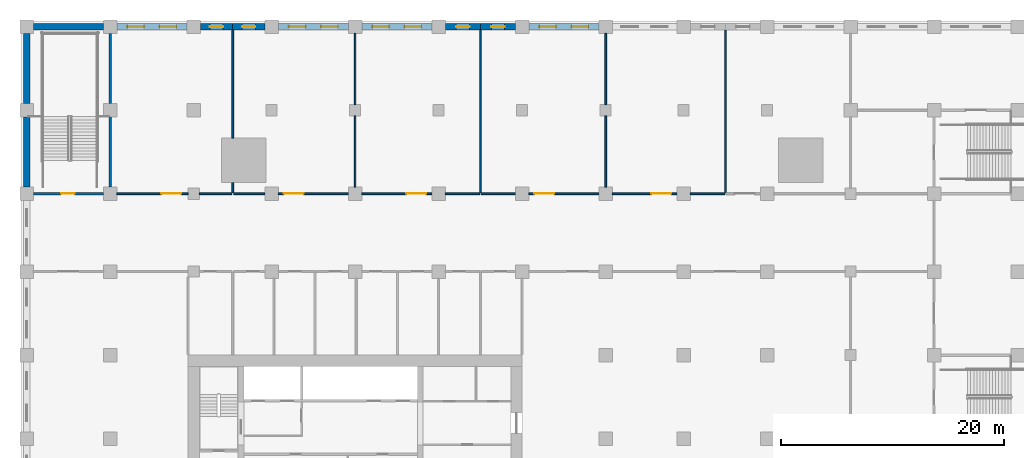
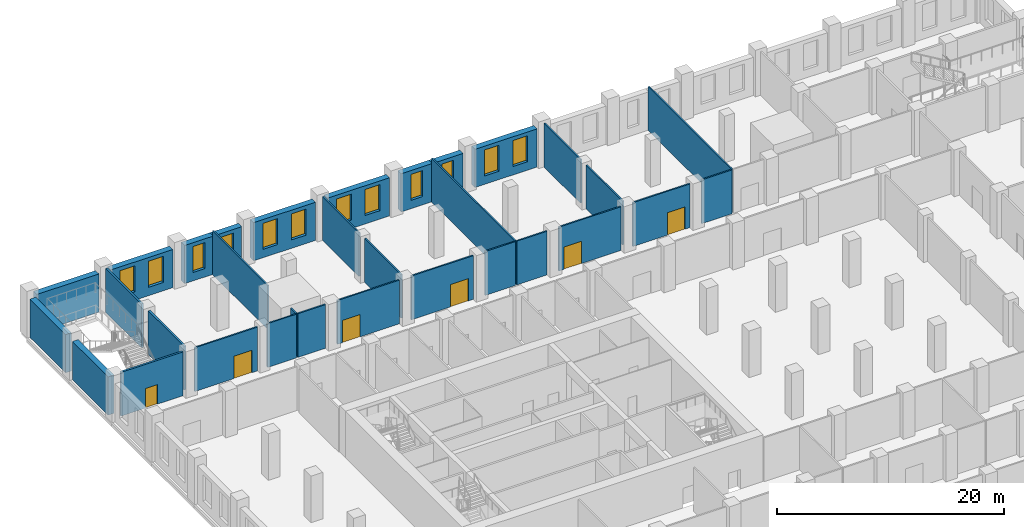
# One storey, part 9 of 32: 32 walls, 12 windows, 6 doors, 18 openings.
"""IFC4 building model written with IfcOpenShell, lengths in metres."""

from ifc_helpers import new_model, si_unit, direction, frame, frame_2d, origin, place, context, subcontext, project, spatial, rectangle, extrude, material, layer, layer_set, type_object, element, fill, save


model = new_model("IFC4")

# Units and contexts
model_context = context("Model", 3, precision=1e-05, world=origin(), true_north=direction((0.0, 1.0)))
body_context = subcontext(model_context, "Body", "Model", "MODEL_VIEW")
ifc_project = project(units=[si_unit("LENGTHUNIT", "METRE"), si_unit("AREAUNIT", "SQUARE_METRE"), si_unit("VOLUMEUNIT", "CUBIC_METRE"), si_unit("PLANEANGLEUNIT", "RADIAN"), si_unit("MASSUNIT", "GRAM", prefix="KILO")], contexts=[model_context])

# Site, building, storey
site_placement = place(None, origin())
site = spatial("IfcSite", under=ifc_project, at=site_placement, CompositionType="ELEMENT")
building_placement = place(site_placement, origin())
building = spatial("IfcBuilding", under=site, at=building_placement, Name="Tamorin Gate", CompositionType="ELEMENT")
storey_placement = place(building_placement, frame((0.0, 0.0, 18.5)))
storey = spatial("IfcBuildingStorey", under=building, at=storey_placement, Name="L03", CompositionType="ELEMENT", Elevation=18.5)

# Wall, opening, door
ifc_material_1 = material(Name="Concrete masonry C20/25", Category="masonry")
ifc_layer_1 = layer(ifc_material_1, 0.14990234375)
ifc_layer_set_1 = layer_set([ifc_layer_1], Name="Partition 150")
wall_type_1 = type_object("IfcWallType", Name="Partition 150", PredefinedType="PARTITIONING", material=ifc_layer_set_1)
wall_1_placement = place(storey_placement, frame((30.0, 97.0, 0.0), z_axis=(0.0, 0.0, 1.0), x_axis=(-1.0, 0.0, 0.0)))
wall_1 = element("IfcWall", 1, at=wall_1_placement, inside=storey, type_object=wall_type_1, Name="Partition 150 L03", PredefinedType="PARTITIONING", context=body_context, shape_type="SweptSolid", body=[
    extrude(rectangle(XDim=6.39990234375, YDim=0.14990234375, at=frame_2d((3.199951171875, 0.0))), origin(), (0.0, 0.0, 1.0), 4.699951171875),
])
opening_1_placement = place(wall_1_placement, frame((0.60009765625, 0.0, 0.0)))
opening_1 = element("IfcOpeningElement", 2, at=opening_1_placement, cuts=wall_1, Name="Opening DP3", PredefinedType="OPENING", context=body_context, shape_type="SweptSolid", body=[
    extrude(rectangle(XDim=1.800048828125, YDim=2.39990234375, at=frame_2d((0.89990234375, 1.199951171875))), frame((0.0, 0.0849609375, 0.0), z_axis=(0.0, -1.0, 0.0), x_axis=(1.0, 0.0, 0.0)), (0.0, 0.0, 1.0), 0.169921875),
])
ifc_material_2 = material(Name="Steel and glass", Category="steel")
door_type_1 = type_object("IfcDoorType", Name="Door pair 1800", OperationType="DOUBLE_DOOR_SINGLE_SWING", PredefinedType="DOOR", material=ifc_material_2)
door_1_placement = place(opening_1_placement, origin())
door_1 = element("IfcDoor", 3, at=door_1_placement, inside=storey, type_object=door_type_1, Name="Door pair 1800 L03", OperationType="SINGLE_SWING_LEFT", OverallHeight=2.39990234375, OverallWidth=1.800048828125, PredefinedType="DOOR", context=body_context, shape_type="SweptSolid", body=[
    extrude(rectangle(XDim=1.800048828125, YDim=2.39990234375, at=frame_2d((0.89990234375, 1.199951171875))), frame((0.0, 0.02490234375, 0.0), z_axis=(0.0, -1.0, 0.0), x_axis=(1.0, 0.0, 0.0)), (0.0, 0.0, 1.0), 0.050048828125),
])
fill(opening_1, door_1)

# Walls
wall_2_placement = place(storey_placement, frame((31.0, 97.0, 0.0), z_axis=(0.0, 0.0, 1.0), x_axis=(1.0, 0.0, 0.0)))
element("IfcWall", 4, at=wall_2_placement, inside=storey, type_object=wall_type_1, Name="Partition 150 L03", PredefinedType="PARTITIONING", context=body_context, shape_type="SweptSolid", body=[
    extrude(rectangle(XDim=2.925048828125, YDim=0.14990234375, at=frame_2d((1.46240234375, 0.0))), origin(), (0.0, 0.0, 1.0), 4.699951171875),
])
wall_3_placement = place(storey_placement, frame((34.074951171875, 97.0, 0.0), z_axis=(0.0, 0.0, 1.0), x_axis=(1.0, 0.0, 0.0)))
element("IfcWall", 5, at=wall_3_placement, inside=storey, type_object=wall_type_1, Name="Partition 150 L03", PredefinedType="PARTITIONING", context=body_context, shape_type="SweptSolid", body=[
    extrude(rectangle(XDim=2.824951171875, YDim=0.14990234375, at=frame_2d((1.41259765625, 0.0))), origin(), (0.0, 0.0, 1.0), 4.699951171875),
])

# Wall, opening, door
wall_4_placement = place(storey_placement, frame((44.39990234375, 97.0, 0.0), z_axis=(0.0, 0.0, 1.0), x_axis=(-1.0, 0.0, 0.0)))
wall_4 = element("IfcWall", 6, at=wall_4_placement, inside=storey, type_object=wall_type_1, Name="Partition 150 L03", PredefinedType="PARTITIONING", context=body_context, shape_type="SweptSolid", body=[
    extrude(rectangle(XDim=6.2998046875, YDim=0.14990234375, at=frame_2d((3.14990234375, 0.0))), origin(), (0.0, 0.0, 1.0), 4.699951171875),
])
opening_2_placement = place(wall_4_placement, frame((4.0, 0.0, 0.0)))
opening_2 = element("IfcOpeningElement", 7, at=opening_2_placement, cuts=wall_4, Name="Opening DP3", PredefinedType="OPENING", context=body_context, shape_type="SweptSolid", body=[
    extrude(rectangle(XDim=1.800048828125, YDim=2.39990234375, at=frame_2d((0.89990234375, 1.199951171875))), frame((0.0, 0.0849609375, 0.0), z_axis=(0.0, -1.0, 0.0), x_axis=(1.0, 0.0, 0.0)), (0.0, 0.0, 1.0), 0.169921875),
])
door_2_placement = place(opening_2_placement, origin())
door_2 = element("IfcDoor", 8, at=door_2_placement, inside=storey, type_object=door_type_1, Name="Door pair 1800 L03", OperationType="SINGLE_SWING_LEFT", OverallHeight=2.39990234375, OverallWidth=1.800048828125, PredefinedType="DOOR", context=body_context, shape_type="SweptSolid", body=[
    extrude(rectangle(XDim=1.800048828125, YDim=2.39990234375, at=frame_2d((0.89990234375, 1.199951171875))), frame((0.0, 0.02490234375, 0.0), z_axis=(0.0, -1.0, 0.0), x_axis=(1.0, 0.0, 0.0)), (0.0, 0.0, 1.0), 0.050048828125),
])
fill(opening_2, door_2)

wall_5_placement = place(storey_placement, frame((51.89990234375, 97.0, 0.0), z_axis=(0.0, 0.0, 1.0), x_axis=(-1.0, 0.0, 0.0)))
wall_5 = element("IfcWall", 9, at=wall_5_placement, inside=storey, type_object=wall_type_1, Name="Partition 150 L03", PredefinedType="PARTITIONING", context=body_context, shape_type="SweptSolid", body=[
    extrude(rectangle(XDim=6.2998046875, YDim=0.14990234375, at=frame_2d((3.14990234375, 0.0))), origin(), (0.0, 0.0, 1.0), 4.699951171875),
])
opening_3_placement = place(wall_5_placement, frame((0.5, 0.0, 0.0)))
opening_3 = element("IfcOpeningElement", 10, at=opening_3_placement, cuts=wall_5, Name="Opening DP3", PredefinedType="OPENING", context=body_context, shape_type="SweptSolid", body=[
    extrude(rectangle(XDim=1.800048828125, YDim=2.39990234375, at=frame_2d((0.89990234375, 1.199951171875))), frame((0.0, 0.0849609375, 0.0), z_axis=(0.0, -1.0, 0.0), x_axis=(1.0, 0.0, 0.0)), (0.0, 0.0, 1.0), 0.169921875),
])
door_3_placement = place(opening_3_placement, origin())
door_3 = element("IfcDoor", 11, at=door_3_placement, inside=storey, type_object=door_type_1, Name="Door pair 1800 L03", OperationType="SINGLE_SWING_LEFT", OverallHeight=2.39990234375, OverallWidth=1.800048828125, PredefinedType="DOOR", context=body_context, shape_type="SweptSolid", body=[
    extrude(rectangle(XDim=1.800048828125, YDim=2.39990234375, at=frame_2d((0.89990234375, 1.199951171875))), frame((0.0, 0.02490234375, 0.0), z_axis=(0.0, -1.0, 0.0), x_axis=(1.0, 0.0, 0.0)), (0.0, 0.0, 1.0), 0.050048828125),
])
fill(opening_3, door_3)

# Walls
for number, where, z_axis, x_axis, name in (
    (12, (53.10009765625, 97.0, 0.0), (0.0, 0.0, 1.0), (1.0, 0.0, 0.0), "Partition 150 L03"),
    (13, (56.324951171875, 97.0, 0.0), (0.0, 0.0, 1.0), (1.0, 0.0, 0.0), "Partition 150 L03"),
):
    element("IfcWall", number, at=place(storey_placement, frame(where, z_axis=z_axis, x_axis=x_axis)), inside=storey, type_object=wall_type_1, Name=name, PredefinedType="PARTITIONING", context=body_context, shape_type="SweptSolid", body=[
        extrude(rectangle(XDim=3.074951171875, YDim=0.14990234375, at=frame_2d((1.53759765625, 0.0))), origin(), (0.0, 0.0, 1.0), 4.699951171875),
    ])

# Wall, opening, door
wall_6_placement = place(storey_placement, frame((66.89990234375, 97.0, 0.0), z_axis=(0.0, 0.0, 1.0), x_axis=(-1.0, 0.0, 0.0)))
wall_6 = element("IfcWall", 14, at=wall_6_placement, inside=storey, type_object=wall_type_1, Name="Partition 150 L03", PredefinedType="PARTITIONING", context=body_context, shape_type="SweptSolid", body=[
    extrude(rectangle(XDim=6.2998046875, YDim=0.14990234375, at=frame_2d((3.14990234375, 0.0))), origin(), (0.0, 0.0, 1.0), 4.699951171875),
])
opening_4_placement = place(wall_6_placement, frame((4.0, 0.0, 0.0)))
opening_4 = element("IfcOpeningElement", 15, at=opening_4_placement, cuts=wall_6, Name="Opening DP3", PredefinedType="OPENING", context=body_context, shape_type="SweptSolid", body=[
    extrude(rectangle(XDim=1.800048828125, YDim=2.39990234375, at=frame_2d((0.89990234375, 1.199951171875))), frame((0.0, 0.0849609375, 0.0), z_axis=(0.0, -1.0, 0.0), x_axis=(1.0, 0.0, 0.0)), (0.0, 0.0, 1.0), 0.169921875),
])
door_4_placement = place(opening_4_placement, origin())
door_4 = element("IfcDoor", 16, at=door_4_placement, inside=storey, type_object=door_type_1, Name="Door pair 1800 L03", OperationType="SINGLE_SWING_LEFT", OverallHeight=2.39990234375, OverallWidth=1.800048828125, PredefinedType="DOOR", context=body_context, shape_type="SweptSolid", body=[
    extrude(rectangle(XDim=1.800048828125, YDim=2.39990234375, at=frame_2d((0.89990234375, 1.199951171875))), frame((0.0, 0.02490234375, 0.0), z_axis=(0.0, -1.0, 0.0), x_axis=(1.0, 0.0, 0.0)), (0.0, 0.0, 1.0), 0.050048828125),
])
fill(opening_4, door_4)

wall_7_placement = place(storey_placement, frame((73.89990234375, 97.0, 0.0), z_axis=(0.0, 0.0, 1.0), x_axis=(-1.0, 0.0, 0.0)))
wall_7 = element("IfcWall", 17, at=wall_7_placement, inside=storey, type_object=wall_type_1, Name="Partition 150 L03", PredefinedType="PARTITIONING", context=body_context, shape_type="SweptSolid", body=[
    extrude(rectangle(XDim=5.7998046875, YDim=0.14990234375, at=frame_2d((2.89990234375, 0.0))), origin(), (0.0, 0.0, 1.0), 4.699951171875),
])
opening_5_placement = place(wall_7_placement, frame((0.5, 0.0, 0.0)))
opening_5 = element("IfcOpeningElement", 18, at=opening_5_placement, cuts=wall_7, Name="Opening DP3", PredefinedType="OPENING", context=body_context, shape_type="SweptSolid", body=[
    extrude(rectangle(XDim=1.800048828125, YDim=2.39990234375, at=frame_2d((0.89990234375, 1.199951171875))), frame((0.0, 0.0849609375, 0.0), z_axis=(0.0, -1.0, 0.0), x_axis=(1.0, 0.0, 0.0)), (0.0, 0.0, 1.0), 0.169921875),
])
door_5_placement = place(opening_5_placement, origin())
door_5 = element("IfcDoor", 19, at=door_5_placement, inside=storey, type_object=door_type_1, Name="Door pair 1800 L03", OperationType="SINGLE_SWING_LEFT", OverallHeight=2.39990234375, OverallWidth=1.800048828125, PredefinedType="DOOR", context=body_context, shape_type="SweptSolid", body=[
    extrude(rectangle(XDim=1.800048828125, YDim=2.39990234375, at=frame_2d((0.89990234375, 1.199951171875))), frame((0.0, 0.02490234375, 0.0), z_axis=(0.0, -1.0, 0.0), x_axis=(1.0, 0.0, 0.0)), (0.0, 0.0, 1.0), 0.050048828125),
])
fill(opening_5, door_5)

# Walls
wall_8_placement = place(storey_placement, frame((75.10009765625, 97.0, 0.0), z_axis=(0.0, 0.0, 1.0), x_axis=(1.0, 0.0, 0.0)))
element("IfcWall", 20, at=wall_8_placement, inside=storey, type_object=wall_type_1, Name="Partition 150 L03", PredefinedType="PARTITIONING", context=body_context, shape_type="SweptSolid", body=[
    extrude(rectangle(XDim=3.074951171875, YDim=0.14990234375, at=frame_2d((1.53759765625, 0.0))), origin(), (0.0, 0.0, 1.0), 4.699951171875),
])
for number, where, z_axis, x_axis, name in (
    (21, (45.0, 97.60009765625, 0.0), (0.0, 0.0, 1.0), (0.0, 1.0, 0.0), "Partition 150 L03"),
    (22, (45.0, 105.0, 0.0), (0.0, 0.0, 1.0), (0.0, 1.0, 0.0), "Partition 150 L03"),
):
    element("IfcWall", number, at=place(storey_placement, frame(where, z_axis=z_axis, x_axis=x_axis)), inside=storey, type_object=wall_type_1, Name=name, PredefinedType="PARTITIONING", context=body_context, shape_type="SweptSolid", body=[
        extrude(rectangle(XDim=6.39990234375, YDim=0.14990234375, at=frame_2d((3.199951171875, 0.0))), origin(), (0.0, 0.0, 1.0), 4.699951171875),
    ])
wall_9_placement = place(storey_placement, frame((56.25, 97.074951171875, 0.0), z_axis=(0.0, 0.0, 1.0), x_axis=(0.0, 1.0, 0.0)))
element("IfcWall", 23, at=wall_9_placement, inside=storey, type_object=wall_type_1, Name="Partition 150 L03", PredefinedType="PARTITIONING", context=body_context, shape_type="SweptSolid", body=[
    extrude(rectangle(XDim=14.625, YDim=0.14990234375, at=frame_2d((7.3125, 0.0))), origin(), (0.0, 0.0, 1.0), 4.699951171875),
])
for number, where, z_axis, x_axis, name in (
    (24, (67.5, 97.60009765625, 0.0), (0.0, 0.0, 1.0), (0.0, 1.0, 0.0), "Partition 150 L03"),
    (25, (67.5, 105.0, 0.0), (0.0, 0.0, 1.0), (0.0, 1.0, 0.0), "Partition 150 L03"),
):
    element("IfcWall", number, at=place(storey_placement, frame(where, z_axis=z_axis, x_axis=x_axis)), inside=storey, type_object=wall_type_1, Name=name, PredefinedType="PARTITIONING", context=body_context, shape_type="SweptSolid", body=[
        extrude(rectangle(XDim=6.39990234375, YDim=0.14990234375, at=frame_2d((3.199951171875, 0.0))), origin(), (0.0, 0.0, 1.0), 4.699951171875),
    ])
wall_10_placement = place(storey_placement, frame((78.25, 97.074951171875, 0.0), z_axis=(0.0, 0.0, 1.0), x_axis=(0.0, 1.0, 0.0)))
element("IfcWall", 26, at=wall_10_placement, inside=storey, type_object=wall_type_1, Name="Partition 150 L03", PredefinedType="PARTITIONING", context=body_context, shape_type="SweptSolid", body=[
    extrude(rectangle(XDim=14.625, YDim=0.14990234375, at=frame_2d((7.3125, 0.0))), origin(), (0.0, 0.0, 1.0), 4.699951171875),
])
wall_11_placement = place(storey_placement, frame((34.0, 97.074951171875, 0.0), z_axis=(0.0, 0.0, 1.0), x_axis=(0.0, 1.0, 0.0)))
element("IfcWall", 27, at=wall_11_placement, inside=storey, type_object=wall_type_1, Name="Partition 150 L03", PredefinedType="PARTITIONING", context=body_context, shape_type="SweptSolid", body=[
    extrude(rectangle(XDim=0.925048828125, YDim=0.14990234375, at=frame_2d((0.46240234375, 0.0))), origin(), (0.0, 0.0, 1.0), 4.699951171875),
])
wall_12_placement = place(storey_placement, frame((34.0, 102.0, 0.0), z_axis=(0.0, 0.0, 1.0), x_axis=(0.0, 1.0, 0.0)))
element("IfcWall", 28, at=wall_12_placement, inside=storey, type_object=wall_type_1, Name="Partition 150 L03", PredefinedType="PARTITIONING", context=body_context, shape_type="SweptSolid", body=[
    extrude(rectangle(XDim=9.699951171875, YDim=0.14990234375, at=frame_2d((4.85009765625, 0.0))), origin(), (0.0, 0.0, 1.0), 4.699951171875),
])
ifc_material_3 = material(Name="Precast concrete C40/50", Category="concrete")
ifc_layer_2 = layer(ifc_material_3, 0.60009765625)
ifc_layer_set_2 = layer_set([ifc_layer_2], Name="Precast concrete C40/50")
wall_type_2 = type_object("IfcWallType", Name="Precast plinth wall 600", PredefinedType="PARTITIONING", material=ifc_layer_set_2)
wall_13_placement = place(storey_placement, frame((16.10009765625, 112.0, 0.0), z_axis=(0.0, 0.0, 1.0), x_axis=(1.0, 0.0, 0.0)))
element("IfcWall", 29, at=wall_13_placement, inside=storey, type_object=wall_type_2, Name="Precast plinth wall 600 L03", PredefinedType="PARTITIONING", context=body_context, shape_type="SweptSolid", body=[
    extrude(rectangle(XDim=6.2998046875, YDim=0.60009765625, at=frame_2d((3.14990234375, 0.0))), origin(), (0.0, 0.0, 1.0), 4.10009765625),
])

# Wall, openings, windows
wall_14_placement = place(storey_placement, frame((23.60009765625, 112.0, 0.0), z_axis=(0.0, 0.0, 1.0), x_axis=(1.0, 0.0, 0.0)))
wall_14 = element("IfcWall", 30, at=wall_14_placement, inside=storey, type_object=wall_type_2, Name="Precast plinth wall 600 L03", PredefinedType="PARTITIONING", context=body_context, shape_type="SweptSolid", body=[
    extrude(rectangle(XDim=6.2998046875, YDim=0.60009765625, at=frame_2d((3.14990234375, 0.0))), origin(), (0.0, 0.0, 1.0), 4.10009765625),
])
opening_6_placement = place(wall_14_placement, frame((0.950927734375, 0.0, 0.89990234375)))
opening_6 = element("IfcOpeningElement", 31, at=opening_6_placement, cuts=wall_14, Name="Opening PWN5", PredefinedType="OPENING", context=body_context, shape_type="SweptSolid", body=[
    extrude(rectangle(XDim=1.5, YDim=2.800048828125, at=frame_2d((0.75, 1.39990234375))), frame((0.0, 0.31005859375, 0.0), z_axis=(0.0, -1.0, 0.0), x_axis=(1.0, 0.0, 0.0)), (0.0, 0.0, 1.0), 0.6201171875),
])
opening_7_placement = place(wall_14_placement, frame((3.84912109375, 0.0, 0.89990234375)))
opening_7 = element("IfcOpeningElement", 32, at=opening_7_placement, cuts=wall_14, Name="Opening PWN5", PredefinedType="OPENING", context=body_context, shape_type="SweptSolid", body=[
    extrude(rectangle(XDim=1.5, YDim=2.800048828125, at=frame_2d((0.75, 1.39990234375))), frame((0.0, 0.31005859375, 0.0), z_axis=(0.0, -1.0, 0.0), x_axis=(1.0, 0.0, 0.0)), (0.0, 0.0, 1.0), 0.6201171875),
])
ifc_material_4 = material(Name="Aluminium and glass", Category="aluminium")
window_type_1 = type_object("IfcWindowType", Name="Plinth window 1500x2800", PartitioningType="DOUBLE_PANEL_VERTICAL", PredefinedType="WINDOW", material=ifc_material_4)
window_1_placement = place(opening_6_placement, origin())
window_1 = element("IfcWindow", 33, at=window_1_placement, inside=storey, type_object=window_type_1, Name="Plinth window 1500x2800", OverallHeight=2.800048828125, OverallWidth=1.5, PartitioningType="SINGLE_PANEL", PredefinedType="WINDOW", context=body_context, shape_type="SweptSolid", body=[
    extrude(rectangle(XDim=1.5, YDim=2.800048828125, at=frame_2d((0.75, 1.39990234375))), frame((0.0, 0.030029296875, 0.0), z_axis=(0.0, -1.0, 0.0), x_axis=(1.0, 0.0, 0.0)), (0.0, 0.0, 1.0), 0.06005859375),
])
fill(opening_6, window_1)
window_2_placement = place(opening_7_placement, origin())
window_2 = element("IfcWindow", 34, at=window_2_placement, inside=storey, type_object=window_type_1, Name="Plinth window 1500x2800", OverallHeight=2.800048828125, OverallWidth=1.5, PartitioningType="SINGLE_PANEL", PredefinedType="WINDOW", context=body_context, shape_type="SweptSolid", body=[
    extrude(rectangle(XDim=1.5, YDim=2.800048828125, at=frame_2d((0.75, 1.39990234375))), frame((0.0, 0.030029296875, 0.0), z_axis=(0.0, -1.0, 0.0), x_axis=(1.0, 0.0, 0.0)), (0.0, 0.0, 1.0), 0.06005859375),
])
fill(opening_7, window_2)

# Wall, opening, window
wall_15_placement = place(storey_placement, frame((31.10009765625, 112.0, 0.0), z_axis=(0.0, 0.0, 1.0), x_axis=(1.0, 0.0, 0.0)))
wall_15 = element("IfcWall", 35, at=wall_15_placement, inside=storey, type_object=wall_type_2, Name="Precast plinth wall 600 L03", PredefinedType="PARTITIONING", context=body_context, shape_type="SweptSolid", body=[
    extrude(rectangle(XDim=2.89990234375, YDim=0.60009765625, at=frame_2d((1.449951171875, 0.0))), origin(), (0.0, 0.0, 1.0), 4.10009765625),
])
opening_8_placement = place(wall_15_placement, frame((0.85009765625, 0.0, 0.89990234375)))
opening_8 = element("IfcOpeningElement", 36, at=opening_8_placement, cuts=wall_15, Name="Opening PWN4", PredefinedType="OPENING", context=body_context, shape_type="SweptSolid", body=[
    extrude(rectangle(XDim=1.199951171875, YDim=2.800048828125, at=frame_2d((0.60009765625, 1.39990234375))), frame((0.0, 0.31005859375, 0.0), z_axis=(0.0, -1.0, 0.0), x_axis=(1.0, 0.0, 0.0)), (0.0, 0.0, 1.0), 0.6201171875),
])
window_type_2 = type_object("IfcWindowType", Name="Plinth window 1200x2800", PartitioningType="DOUBLE_PANEL_VERTICAL", PredefinedType="WINDOW", material=ifc_material_4)
window_3_placement = place(opening_8_placement, origin())
window_3 = element("IfcWindow", 37, at=window_3_placement, inside=storey, type_object=window_type_2, Name="Plinth window 1200x2800", OverallHeight=2.800048828125, OverallWidth=1.199951171875, PartitioningType="SINGLE_PANEL", PredefinedType="WINDOW", context=body_context, shape_type="SweptSolid", body=[
    extrude(rectangle(XDim=1.199951171875, YDim=2.800048828125, at=frame_2d((0.60009765625, 1.39990234375))), frame((0.0, 0.030029296875, 0.0), z_axis=(0.0, -1.0, 0.0), x_axis=(1.0, 0.0, 0.0)), (0.0, 0.0, 1.0), 0.06005859375),
])
fill(opening_8, window_3)

wall_16_placement = place(storey_placement, frame((34.0, 112.0, 0.0), z_axis=(0.0, 0.0, 1.0), x_axis=(1.0, 0.0, 0.0)))
wall_16 = element("IfcWall", 38, at=wall_16_placement, inside=storey, type_object=wall_type_2, Name="Precast plinth wall 600 L03", PredefinedType="PARTITIONING", context=body_context, shape_type="SweptSolid", body=[
    extrude(rectangle(XDim=2.89990234375, YDim=0.60009765625, at=frame_2d((1.449951171875, 0.0))), origin(), (0.0, 0.0, 1.0), 4.10009765625),
])
opening_9_placement = place(wall_16_placement, frame((0.85009765625, 0.0, 0.89990234375)))
opening_9 = element("IfcOpeningElement", 39, at=opening_9_placement, cuts=wall_16, Name="Opening PWN4", PredefinedType="OPENING", context=body_context, shape_type="SweptSolid", body=[
    extrude(rectangle(XDim=1.199951171875, YDim=2.800048828125, at=frame_2d((0.60009765625, 1.39990234375))), frame((0.0, 0.31005859375, 0.0), z_axis=(0.0, -1.0, 0.0), x_axis=(1.0, 0.0, 0.0)), (0.0, 0.0, 1.0), 0.6201171875),
])
window_4_placement = place(opening_9_placement, origin())
window_4 = element("IfcWindow", 40, at=window_4_placement, inside=storey, type_object=window_type_2, Name="Plinth window 1200x2800", OverallHeight=2.800048828125, OverallWidth=1.199951171875, PartitioningType="SINGLE_PANEL", PredefinedType="WINDOW", context=body_context, shape_type="SweptSolid", body=[
    extrude(rectangle(XDim=1.199951171875, YDim=2.800048828125, at=frame_2d((0.60009765625, 1.39990234375))), frame((0.0, 0.030029296875, 0.0), z_axis=(0.0, -1.0, 0.0), x_axis=(1.0, 0.0, 0.0)), (0.0, 0.0, 1.0), 0.06005859375),
])
fill(opening_9, window_4)

# Wall, openings, windows
wall_17_placement = place(storey_placement, frame((38.10009765625, 112.0, 0.0), z_axis=(0.0, 0.0, 1.0), x_axis=(1.0, 0.0, 0.0)))
wall_17 = element("IfcWall", 41, at=wall_17_placement, inside=storey, type_object=wall_type_2, Name="Precast plinth wall 600 L03", PredefinedType="PARTITIONING", context=body_context, shape_type="SweptSolid", body=[
    extrude(rectangle(XDim=6.2998046875, YDim=0.60009765625, at=frame_2d((3.14990234375, 0.0))), origin(), (0.0, 0.0, 1.0), 4.10009765625),
])
opening_10_placement = place(wall_17_placement, frame((0.950927734375, 0.0, 0.89990234375)))
opening_10 = element("IfcOpeningElement", 42, at=opening_10_placement, cuts=wall_17, Name="Opening PWN5", PredefinedType="OPENING", context=body_context, shape_type="SweptSolid", body=[
    extrude(rectangle(XDim=1.5, YDim=2.800048828125, at=frame_2d((0.75, 1.39990234375))), frame((0.0, 0.31005859375, 0.0), z_axis=(0.0, -1.0, 0.0), x_axis=(1.0, 0.0, 0.0)), (0.0, 0.0, 1.0), 0.6201171875),
])
opening_11_placement = place(wall_17_placement, frame((3.84912109375, 0.0, 0.89990234375)))
opening_11 = element("IfcOpeningElement", 43, at=opening_11_placement, cuts=wall_17, Name="Opening PWN5", PredefinedType="OPENING", context=body_context, shape_type="SweptSolid", body=[
    extrude(rectangle(XDim=1.5, YDim=2.800048828125, at=frame_2d((0.75, 1.39990234375))), frame((0.0, 0.31005859375, 0.0), z_axis=(0.0, -1.0, 0.0), x_axis=(1.0, 0.0, 0.0)), (0.0, 0.0, 1.0), 0.6201171875),
])
window_5_placement = place(opening_10_placement, origin())
window_5 = element("IfcWindow", 44, at=window_5_placement, inside=storey, type_object=window_type_1, Name="Plinth window 1500x2800", OverallHeight=2.800048828125, OverallWidth=1.5, PartitioningType="SINGLE_PANEL", PredefinedType="WINDOW", context=body_context, shape_type="SweptSolid", body=[
    extrude(rectangle(XDim=1.5, YDim=2.800048828125, at=frame_2d((0.75, 1.39990234375))), frame((0.0, 0.030029296875, 0.0), z_axis=(0.0, -1.0, 0.0), x_axis=(1.0, 0.0, 0.0)), (0.0, 0.0, 1.0), 0.06005859375),
])
fill(opening_10, window_5)
window_6_placement = place(opening_11_placement, origin())
window_6 = element("IfcWindow", 45, at=window_6_placement, inside=storey, type_object=window_type_1, Name="Plinth window 1500x2800", OverallHeight=2.800048828125, OverallWidth=1.5, PartitioningType="SINGLE_PANEL", PredefinedType="WINDOW", context=body_context, shape_type="SweptSolid", body=[
    extrude(rectangle(XDim=1.5, YDim=2.800048828125, at=frame_2d((0.75, 1.39990234375))), frame((0.0, 0.030029296875, 0.0), z_axis=(0.0, -1.0, 0.0), x_axis=(1.0, 0.0, 0.0)), (0.0, 0.0, 1.0), 0.06005859375),
])
fill(opening_11, window_6)

wall_18_placement = place(storey_placement, frame((45.60009765625, 112.0, 0.0), z_axis=(0.0, 0.0, 1.0), x_axis=(1.0, 0.0, 0.0)))
wall_18 = element("IfcWall", 46, at=wall_18_placement, inside=storey, type_object=wall_type_2, Name="Precast plinth wall 600 L03", PredefinedType="PARTITIONING", context=body_context, shape_type="SweptSolid", body=[
    extrude(rectangle(XDim=6.2998046875, YDim=0.60009765625, at=frame_2d((3.14990234375, 0.0))), origin(), (0.0, 0.0, 1.0), 4.10009765625),
])
opening_12_placement = place(wall_18_placement, frame((0.950927734375, 0.0, 0.89990234375)))
opening_12 = element("IfcOpeningElement", 47, at=opening_12_placement, cuts=wall_18, Name="Opening PWN5", PredefinedType="OPENING", context=body_context, shape_type="SweptSolid", body=[
    extrude(rectangle(XDim=1.5, YDim=2.800048828125, at=frame_2d((0.75, 1.39990234375))), frame((0.0, 0.31005859375, 0.0), z_axis=(0.0, -1.0, 0.0), x_axis=(1.0, 0.0, 0.0)), (0.0, 0.0, 1.0), 0.6201171875),
])
opening_13_placement = place(wall_18_placement, frame((3.84912109375, 0.0, 0.89990234375)))
opening_13 = element("IfcOpeningElement", 48, at=opening_13_placement, cuts=wall_18, Name="Opening PWN5", PredefinedType="OPENING", context=body_context, shape_type="SweptSolid", body=[
    extrude(rectangle(XDim=1.5, YDim=2.800048828125, at=frame_2d((0.75, 1.39990234375))), frame((0.0, 0.31005859375, 0.0), z_axis=(0.0, -1.0, 0.0), x_axis=(1.0, 0.0, 0.0)), (0.0, 0.0, 1.0), 0.6201171875),
])
window_7_placement = place(opening_12_placement, origin())
window_7 = element("IfcWindow", 49, at=window_7_placement, inside=storey, type_object=window_type_1, Name="Plinth window 1500x2800", OverallHeight=2.800048828125, OverallWidth=1.5, PartitioningType="SINGLE_PANEL", PredefinedType="WINDOW", context=body_context, shape_type="SweptSolid", body=[
    extrude(rectangle(XDim=1.5, YDim=2.800048828125, at=frame_2d((0.75, 1.39990234375))), frame((0.0, 0.030029296875, 0.0), z_axis=(0.0, -1.0, 0.0), x_axis=(1.0, 0.0, 0.0)), (0.0, 0.0, 1.0), 0.06005859375),
])
fill(opening_12, window_7)
window_8_placement = place(opening_13_placement, origin())
window_8 = element("IfcWindow", 50, at=window_8_placement, inside=storey, type_object=window_type_1, Name="Plinth window 1500x2800", OverallHeight=2.800048828125, OverallWidth=1.5, PartitioningType="SINGLE_PANEL", PredefinedType="WINDOW", context=body_context, shape_type="SweptSolid", body=[
    extrude(rectangle(XDim=1.5, YDim=2.800048828125, at=frame_2d((0.75, 1.39990234375))), frame((0.0, 0.030029296875, 0.0), z_axis=(0.0, -1.0, 0.0), x_axis=(1.0, 0.0, 0.0)), (0.0, 0.0, 1.0), 0.06005859375),
])
fill(opening_13, window_8)

# Wall, opening, window
wall_19_placement = place(storey_placement, frame((53.10009765625, 112.0, 0.0), z_axis=(0.0, 0.0, 1.0), x_axis=(1.0, 0.0, 0.0)))
wall_19 = element("IfcWall", 51, at=wall_19_placement, inside=storey, type_object=wall_type_2, Name="Precast plinth wall 600 L03", PredefinedType="PARTITIONING", context=body_context, shape_type="SweptSolid", body=[
    extrude(rectangle(XDim=3.14990234375, YDim=0.60009765625, at=frame_2d((1.574951171875, 0.0))), origin(), (0.0, 0.0, 1.0), 4.10009765625),
])
opening_14_placement = place(wall_19_placement, frame((0.97509765625, 0.0, 0.89990234375)))
opening_14 = element("IfcOpeningElement", 52, at=opening_14_placement, cuts=wall_19, Name="Opening PWN4", PredefinedType="OPENING", context=body_context, shape_type="SweptSolid", body=[
    extrude(rectangle(XDim=1.199951171875, YDim=2.800048828125, at=frame_2d((0.60009765625, 1.39990234375))), frame((0.0, 0.31005859375, 0.0), z_axis=(0.0, -1.0, 0.0), x_axis=(1.0, 0.0, 0.0)), (0.0, 0.0, 1.0), 0.6201171875),
])
window_9_placement = place(opening_14_placement, origin())
window_9 = element("IfcWindow", 53, at=window_9_placement, inside=storey, type_object=window_type_2, Name="Plinth window 1200x2800", OverallHeight=2.800048828125, OverallWidth=1.199951171875, PartitioningType="SINGLE_PANEL", PredefinedType="WINDOW", context=body_context, shape_type="SweptSolid", body=[
    extrude(rectangle(XDim=1.199951171875, YDim=2.800048828125, at=frame_2d((0.60009765625, 1.39990234375))), frame((0.0, 0.030029296875, 0.0), z_axis=(0.0, -1.0, 0.0), x_axis=(1.0, 0.0, 0.0)), (0.0, 0.0, 1.0), 0.06005859375),
])
fill(opening_14, window_9)

wall_20_placement = place(storey_placement, frame((56.25, 112.0, 0.0), z_axis=(0.0, 0.0, 1.0), x_axis=(1.0, 0.0, 0.0)))
wall_20 = element("IfcWall", 54, at=wall_20_placement, inside=storey, type_object=wall_type_2, Name="Precast plinth wall 600 L03", PredefinedType="PARTITIONING", context=body_context, shape_type="SweptSolid", body=[
    extrude(rectangle(XDim=3.14990234375, YDim=0.60009765625, at=frame_2d((1.574951171875, 0.0))), origin(), (0.0, 0.0, 1.0), 4.10009765625),
])
opening_15_placement = place(wall_20_placement, frame((0.97509765625, 0.0, 0.89990234375)))
opening_15 = element("IfcOpeningElement", 55, at=opening_15_placement, cuts=wall_20, Name="Opening PWN4", PredefinedType="OPENING", context=body_context, shape_type="SweptSolid", body=[
    extrude(rectangle(XDim=1.199951171875, YDim=2.800048828125, at=frame_2d((0.60009765625, 1.39990234375))), frame((0.0, 0.31005859375, 0.0), z_axis=(0.0, -1.0, 0.0), x_axis=(1.0, 0.0, 0.0)), (0.0, 0.0, 1.0), 0.6201171875),
])
window_10_placement = place(opening_15_placement, origin())
window_10 = element("IfcWindow", 56, at=window_10_placement, inside=storey, type_object=window_type_2, Name="Plinth window 1200x2800", OverallHeight=2.800048828125, OverallWidth=1.199951171875, PartitioningType="SINGLE_PANEL", PredefinedType="WINDOW", context=body_context, shape_type="SweptSolid", body=[
    extrude(rectangle(XDim=1.199951171875, YDim=2.800048828125, at=frame_2d((0.60009765625, 1.39990234375))), frame((0.0, 0.030029296875, 0.0), z_axis=(0.0, -1.0, 0.0), x_axis=(1.0, 0.0, 0.0)), (0.0, 0.0, 1.0), 0.06005859375),
])
fill(opening_15, window_10)

# Wall, openings, windows
wall_21_placement = place(storey_placement, frame((60.60009765625, 112.0, 0.0), z_axis=(0.0, 0.0, 1.0), x_axis=(1.0, 0.0, 0.0)))
wall_21 = element("IfcWall", 57, at=wall_21_placement, inside=storey, type_object=wall_type_2, Name="Precast plinth wall 600 L03", PredefinedType="PARTITIONING", context=body_context, shape_type="SweptSolid", body=[
    extrude(rectangle(XDim=6.2998046875, YDim=0.60009765625, at=frame_2d((3.14990234375, 0.0))), origin(), (0.0, 0.0, 1.0), 4.10009765625),
])
opening_16_placement = place(wall_21_placement, frame((0.950927734375, 0.0, 0.89990234375)))
opening_16 = element("IfcOpeningElement", 58, at=opening_16_placement, cuts=wall_21, Name="Opening PWN5", PredefinedType="OPENING", context=body_context, shape_type="SweptSolid", body=[
    extrude(rectangle(XDim=1.5, YDim=2.800048828125, at=frame_2d((0.75, 1.39990234375))), frame((0.0, 0.31005859375, 0.0), z_axis=(0.0, -1.0, 0.0), x_axis=(1.0, 0.0, 0.0)), (0.0, 0.0, 1.0), 0.6201171875),
])
opening_17_placement = place(wall_21_placement, frame((3.84912109375, 0.0, 0.89990234375)))
opening_17 = element("IfcOpeningElement", 59, at=opening_17_placement, cuts=wall_21, Name="Opening PWN5", PredefinedType="OPENING", context=body_context, shape_type="SweptSolid", body=[
    extrude(rectangle(XDim=1.5, YDim=2.800048828125, at=frame_2d((0.75, 1.39990234375))), frame((0.0, 0.31005859375, 0.0), z_axis=(0.0, -1.0, 0.0), x_axis=(1.0, 0.0, 0.0)), (0.0, 0.0, 1.0), 0.6201171875),
])
window_11_placement = place(opening_16_placement, origin())
window_11 = element("IfcWindow", 60, at=window_11_placement, inside=storey, type_object=window_type_1, Name="Plinth window 1500x2800", OverallHeight=2.800048828125, OverallWidth=1.5, PartitioningType="SINGLE_PANEL", PredefinedType="WINDOW", context=body_context, shape_type="SweptSolid", body=[
    extrude(rectangle(XDim=1.5, YDim=2.800048828125, at=frame_2d((0.75, 1.39990234375))), frame((0.0, 0.030029296875, 0.0), z_axis=(0.0, -1.0, 0.0), x_axis=(1.0, 0.0, 0.0)), (0.0, 0.0, 1.0), 0.06005859375),
])
fill(opening_16, window_11)
window_12_placement = place(opening_17_placement, origin())
window_12 = element("IfcWindow", 61, at=window_12_placement, inside=storey, type_object=window_type_1, Name="Plinth window 1500x2800", OverallHeight=2.800048828125, OverallWidth=1.5, PartitioningType="SINGLE_PANEL", PredefinedType="WINDOW", context=body_context, shape_type="SweptSolid", body=[
    extrude(rectangle(XDim=1.5, YDim=2.800048828125, at=frame_2d((0.75, 1.39990234375))), frame((0.0, 0.030029296875, 0.0), z_axis=(0.0, -1.0, 0.0), x_axis=(1.0, 0.0, 0.0)), (0.0, 0.0, 1.0), 0.06005859375),
])
fill(opening_17, window_12)

# Walls
for number, where, z_axis, x_axis, name in (
    (62, (15.5, 97.60009765625, 0.0), (0.0, 0.0, 1.0), (0.0, 1.0, 0.0), "Precast plinth wall 600 L03"),
    (63, (15.5, 105.10009765625, 0.0), (0.0, 0.0, 1.0), (0.0, 1.0, 0.0), "Precast plinth wall 600 L03"),
):
    element("IfcWall", number, at=place(storey_placement, frame(where, z_axis=z_axis, x_axis=x_axis)), inside=storey, type_object=wall_type_2, Name=name, PredefinedType="PARTITIONING", context=body_context, shape_type="SweptSolid", body=[
        extrude(rectangle(XDim=6.2998046875, YDim=0.60009765625, at=frame_2d((3.14990234375, 0.0))), origin(), (0.0, 0.0, 1.0), 4.10009765625),
    ])

# Wall, opening, door
ifc_material_5 = material(Name="Concrete C40/50", Category="concrete")
ifc_layer_3 = layer(ifc_material_5, 0.199951171875)
ifc_layer_set_3 = layer_set([ifc_layer_3], Name="Stair enclosure 200")
wall_type_3 = type_object("IfcWallType", Name="Stair enclosure 200", PredefinedType="SHEAR", material=ifc_layer_set_3)
wall_22_placement = place(storey_placement, frame((16.10009765625, 97.0, 0.0), z_axis=(0.0, 0.0, 1.0), x_axis=(1.0, 0.0, 0.0)))
wall_22 = element("IfcWall", 64, at=wall_22_placement, inside=storey, type_object=wall_type_3, Name="Stair enclosure 200 L03", PredefinedType="SHEAR", context=body_context, shape_type="SweptSolid", body=[
    extrude(rectangle(XDim=6.2998046875, YDim=0.199951171875, at=frame_2d((3.14990234375, 0.0))), origin(), (0.0, 0.0, 1.0), 4.699951171875),
])
opening_18_placement = place(wall_22_placement, frame((2.5, 0.0, 0.0)))
opening_18 = element("IfcOpeningElement", 65, at=opening_18_placement, cuts=wall_22, Name="Opening DP5", PredefinedType="OPENING", context=body_context, shape_type="SweptSolid", body=[
    extrude(rectangle(XDim=1.199951171875, YDim=2.10009765625, at=frame_2d((0.60009765625, 1.050048828125))), frame((0.0, 0.10986328125, 0.0), z_axis=(0.0, -1.0, 0.0), x_axis=(1.0, 0.0, 0.0)), (0.0, 0.0, 1.0), 0.219970703125),
])
ifc_material_6 = material(Name="Painted steel", Category="steel")
door_type_2 = type_object("IfcDoorType", Name="Stair door 1200", OperationType="SINGLE_SWING_LEFT", PredefinedType="DOOR", material=ifc_material_6)
door_6_placement = place(opening_18_placement, origin())
door_6 = element("IfcDoor", 66, at=door_6_placement, inside=storey, type_object=door_type_2, Name="Stair door 1200 L03", OperationType="SINGLE_SWING_LEFT", OverallHeight=2.10009765625, OverallWidth=1.199951171875, PredefinedType="DOOR", context=body_context, shape_type="SweptSolid", body=[
    extrude(rectangle(XDim=1.199951171875, YDim=2.10009765625, at=frame_2d((0.60009765625, 1.050048828125))), frame((0.0, 0.02490234375, 0.0), z_axis=(0.0, -1.0, 0.0), x_axis=(1.0, 0.0, 0.0)), (0.0, 0.0, 1.0), 0.050048828125),
])
fill(opening_18, door_6)

# Walls
for number, where, z_axis, x_axis, name in (
    (67, (23.0, 97.60009765625, 0.0), (0.0, 0.0, 1.0), (0.0, 1.0, 0.0), "Stair enclosure 200 L03"),
    (68, (23.0, 105.10009765625, 0.0), (0.0, 0.0, 1.0), (0.0, 1.0, 0.0), "Stair enclosure 200 L03"),
):
    element("IfcWall", number, at=place(storey_placement, frame(where, z_axis=z_axis, x_axis=x_axis)), inside=storey, type_object=wall_type_3, Name=name, PredefinedType="SHEAR", context=body_context, shape_type="SweptSolid", body=[
        extrude(rectangle(XDim=6.2998046875, YDim=0.199951171875, at=frame_2d((3.14990234375, 0.0))), origin(), (0.0, 0.0, 1.0), 4.699951171875),
    ])

save(model, "model.ifc")
